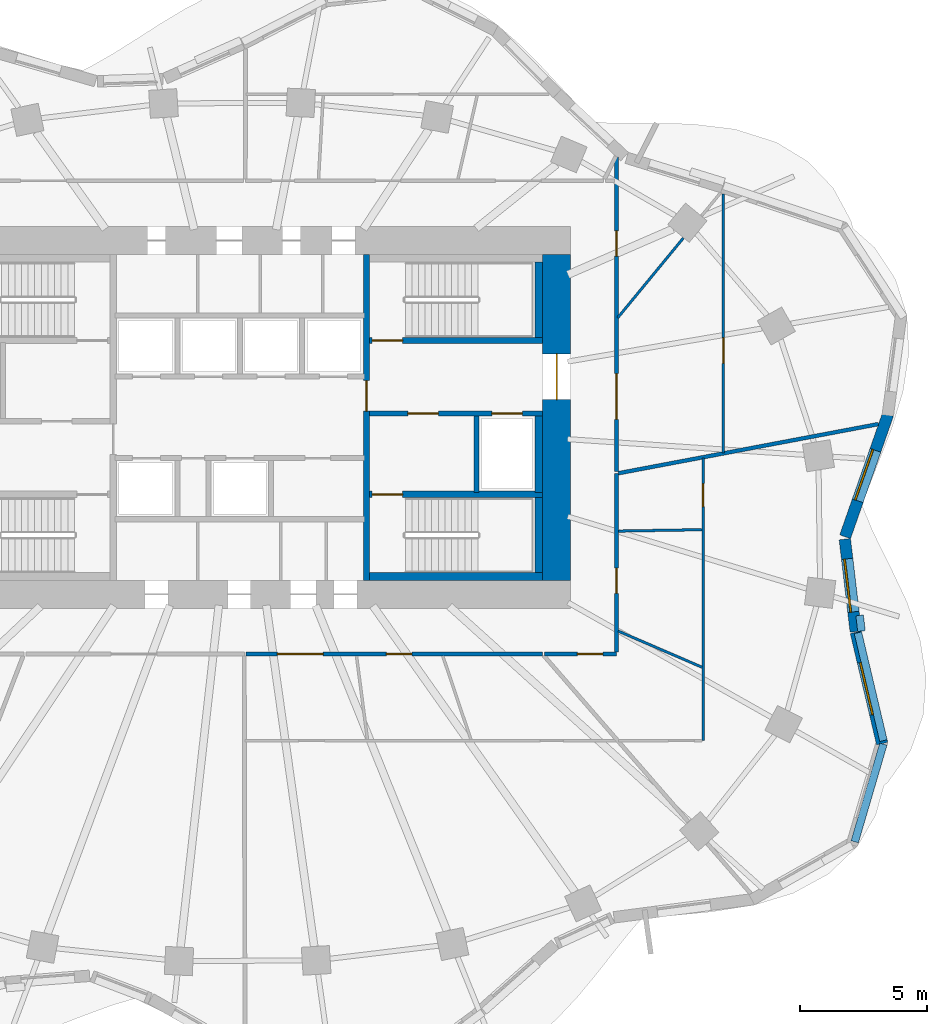
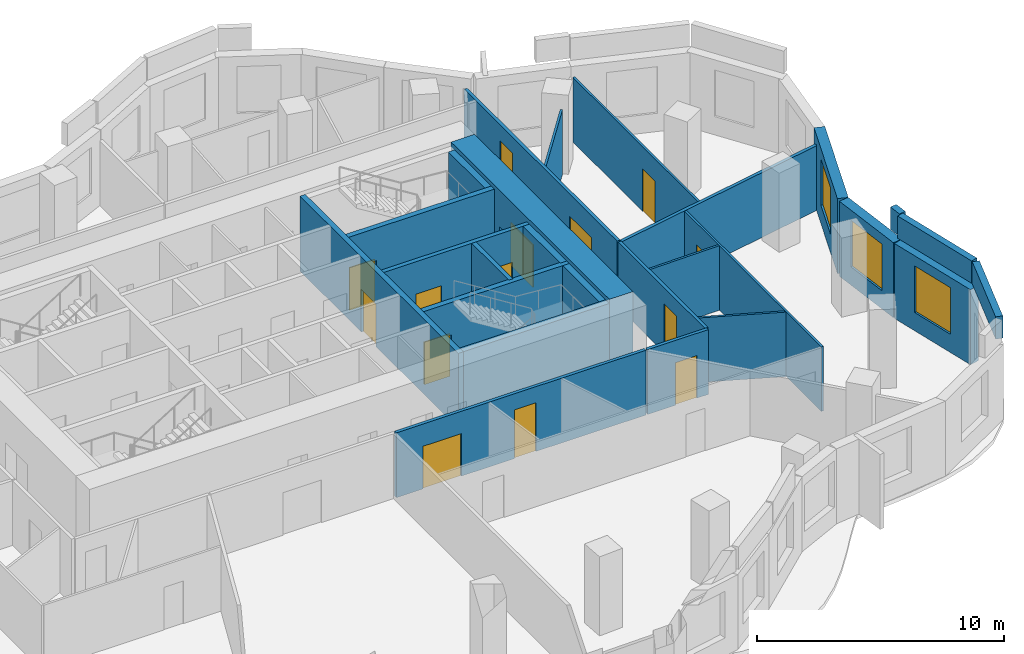
# One storey, part 6 of 10: 26 walls, 14 doors, 3 windows, 17 openings.
"""IFC4 building model written with IfcOpenShell, lengths in metres."""

from ifc_helpers import new_model, si_unit, direction, frame, frame_2d, origin, place, context, subcontext, project, spatial, rectangle, extrude, material, layer, layer_set, type_object, element, fill, save


model = new_model("IFC4")

# Units and contexts
model_context = context("Model", 3, precision=1e-05, world=origin(), true_north=direction((0.0, 1.0)))
body_context = subcontext(model_context, "Body", "Model", "MODEL_VIEW")
ifc_project = project(units=[si_unit("LENGTHUNIT", "METRE"), si_unit("AREAUNIT", "SQUARE_METRE"), si_unit("VOLUMEUNIT", "CUBIC_METRE"), si_unit("PLANEANGLEUNIT", "RADIAN"), si_unit("MASSUNIT", "GRAM", prefix="KILO")], contexts=[model_context])

# Site, building, storey
site_placement = place(None, origin())
site = spatial("IfcSite", under=ifc_project, at=site_placement, CompositionType="ELEMENT")
building_placement = place(site_placement, origin())
building = spatial("IfcBuilding", under=site, at=building_placement, Name="Rubra Terraces Tower", CompositionType="ELEMENT")
storey_placement = place(building_placement, frame((0.0, 0.0, 153.89990234375)))
storey = spatial("IfcBuildingStorey", under=building, at=storey_placement, Name="L37", CompositionType="ELEMENT", Elevation=153.89990234375)

# Wall, opening, window
ifc_material_1 = material(Name="Brick masonry red-brown", Category="masonry")
ifc_layer_1 = layer(ifc_material_1, 0.449951171875)
ifc_layer_set_1 = layer_set([ifc_layer_1], Name="Brick masonry red-brown")
wall_type_1 = type_object("IfcWallType", Name="Brick facade wall 450", PredefinedType="SOLIDWALL", material=ifc_layer_set_1)
wall_1_placement = place(storey_placement, frame((23.782470703125, -0.189208984375, 0.0), z_axis=(0.0, 0.0, 1.0), x_axis=(0.330794307703, 0.943702880144, 0.0)))
wall_1 = element("IfcWall", 1, at=wall_1_placement, inside=storey, type_object=wall_type_1, Name="Facade wall L37 bay 1", PredefinedType="SOLIDWALL", context=body_context, shape_type="SweptSolid", body=[
    extrude(rectangle(XDim=5.095458984375, YDim=0.449951171875, at=frame_2d((2.5478515625, 0.0))), origin(), (0.0, 0.0, 1.0), 3.7001953125),
])
opening_1_placement = place(wall_1_placement, frame((1.497802734375, 0.0, 0.89990234375)))
opening_1 = element("IfcOpeningElement", 2, at=opening_1_placement, cuts=wall_1, Name="Opening W1B", PredefinedType="OPENING", context=body_context, shape_type="SweptSolid", body=[
    extrude(rectangle(XDim=2.10009765625, YDim=2.300048828125, at=frame_2d((1.050048828125, 1.14990234375))), frame((0.0, 0.23486328125, 0.0), z_axis=(0.0, -1.0, 0.0), x_axis=(1.0, 0.0, 0.0)), (0.0, 0.0, 1.0), 0.469970703125),
])
ifc_material_2 = material(Name="Clear glass in aluminium frame", Category="aluminium")
window_type = type_object("IfcWindowType", Name="Fixed deep-set window tall storey 2100 x 2300", PartitioningType="SINGLE_PANEL", PredefinedType="WINDOW", material=ifc_material_2)
window_1_placement = place(opening_1_placement, origin())
window_1 = element("IfcWindow", 3, at=window_1_placement, inside=storey, type_object=window_type, Name="Window L37 bay 1", OverallHeight=2.300048828125, OverallWidth=2.10009765625, PartitioningType="SINGLE_PANEL", PredefinedType="WINDOW", context=body_context, shape_type="SweptSolid", body=[
    extrude(rectangle(XDim=2.10009765625, YDim=2.300048828125, at=frame_2d((1.050048828125, 1.14990234375))), frame((0.0, 0.135009765625, 0.0), z_axis=(0.0, -1.0, 0.0), x_axis=(1.0, 0.0, 0.0)), (0.0, 0.0, 1.0), 0.06005859375),
])
fill(opening_1, window_1)

wall_2_placement = place(storey_placement, frame((25.23974609375, -8.3193359375, 0.0), z_axis=(0.0, 0.0, 1.0), x_axis=(-0.230037604827, 0.973181740666, 0.0)))
wall_2 = element("IfcWall", 4, at=wall_2_placement, inside=storey, type_object=wall_type_1, Name="Facade wall L37 bay 39", PredefinedType="SOLIDWALL", context=body_context, shape_type="SweptSolid", body=[
    extrude(rectangle(XDim=4.497802734375, YDim=0.449951171875, at=frame_2d((2.2490234375, 0.0))), origin(), (0.0, 0.0, 1.0), 3.7001953125),
])
opening_2_placement = place(wall_2_placement, frame((1.198974609375, 0.0, 0.89990234375)))
opening_2 = element("IfcOpeningElement", 5, at=opening_2_placement, cuts=wall_2, Name="Opening W1B", PredefinedType="OPENING", context=body_context, shape_type="SweptSolid", body=[
    extrude(rectangle(XDim=2.10009765625, YDim=2.300048828125, at=frame_2d((1.050048828125, 1.14990234375))), frame((0.0, 0.23486328125, 0.0), z_axis=(0.0, -1.0, 0.0), x_axis=(1.0, 0.0, 0.0)), (0.0, 0.0, 1.0), 0.469970703125),
])
window_2_placement = place(opening_2_placement, origin())
window_2 = element("IfcWindow", 6, at=window_2_placement, inside=storey, type_object=window_type, Name="Window L37 bay 39", OverallHeight=2.300048828125, OverallWidth=2.10009765625, PartitioningType="SINGLE_PANEL", PredefinedType="WINDOW", context=body_context, shape_type="SweptSolid", body=[
    extrude(rectangle(XDim=2.10009765625, YDim=2.300048828125, at=frame_2d((1.050048828125, 1.14990234375))), frame((0.0, 0.135009765625, 0.0), z_axis=(0.0, -1.0, 0.0), x_axis=(1.0, 0.0, 0.0)), (0.0, 0.0, 1.0), 0.06005859375),
])
fill(opening_2, window_2)

wall_3_placement = place(storey_placement, frame((24.200927734375, -3.915283203125, 0.0), z_axis=(0.0, 0.0, 1.0), x_axis=(-0.117623597589, 0.993058250703, 0.0)))
wall_3 = element("IfcWall", 7, at=wall_3_placement, inside=storey, type_object=wall_type_1, Name="Facade wall L37 bay 40", PredefinedType="SOLIDWALL", context=body_context, shape_type="SweptSolid", body=[
    extrude(rectangle(XDim=3.6572265625, YDim=0.449951171875, at=frame_2d((1.82861328125, 0.0))), origin(), (0.0, 0.0, 1.0), 3.7001953125),
])
opening_3_placement = place(wall_3_placement, frame((0.77880859375, 0.0, 0.89990234375)))
opening_3 = element("IfcOpeningElement", 8, at=opening_3_placement, cuts=wall_3, Name="Opening W1B", PredefinedType="OPENING", context=body_context, shape_type="SweptSolid", body=[
    extrude(rectangle(XDim=2.10009765625, YDim=2.300048828125, at=frame_2d((1.050048828125, 1.14990234375))), frame((0.0, 0.23486328125, 0.0), z_axis=(0.0, -1.0, 0.0), x_axis=(1.0, 0.0, 0.0)), (0.0, 0.0, 1.0), 0.469970703125),
])
window_3_placement = place(opening_3_placement, origin())
window_3 = element("IfcWindow", 9, at=window_3_placement, inside=storey, type_object=window_type, Name="Window L37 bay 40", OverallHeight=2.300048828125, OverallWidth=2.10009765625, PartitioningType="SINGLE_PANEL", PredefinedType="WINDOW", context=body_context, shape_type="SweptSolid", body=[
    extrude(rectangle(XDim=2.10009765625, YDim=2.300048828125, at=frame_2d((1.050048828125, 1.14990234375))), frame((0.0, 0.135009765625, 0.0), z_axis=(0.0, -1.0, 0.0), x_axis=(1.0, 0.0, 0.0)), (0.0, 0.0, 1.0), 0.06005859375),
])
fill(opening_3, window_3)

# Walls
ifc_layer_2 = layer(ifc_material_1, 0.300048828125)
ifc_layer_set_2 = layer_set([ifc_layer_2], Name="Brick masonry red-brown")
wall_type_2 = type_object("IfcWallType", Name="Brick parapet 300", PredefinedType="PARAPET", material=ifc_layer_set_2)
wall_4_placement = place(storey_placement, frame((24.15966796875, -12.17431640625, 3.900146484375), z_axis=(0.0, 0.0, 1.0), x_axis=(0.281412876289, 0.959586782453, 0.0)))
element("IfcWall", 10, at=wall_4_placement, inside=storey, type_object=wall_type_2, Name="Parapet L37 bay 38", PredefinedType="PARAPET", context=body_context, shape_type="SweptSolid", body=[
    extrude(rectangle(XDim=4.000244140625, YDim=0.300048828125, at=frame_2d((2.0, 0.0))), origin(), (0.0, 0.0, 1.0), 1.099853515625),
])
wall_5_placement = place(storey_placement, frame((25.288818359375, -8.200927734375, 3.900146484375), z_axis=(0.0, 0.0, 1.0), x_axis=(-0.230060179164, 0.973176404339, 0.0)))
element("IfcWall", 11, at=wall_5_placement, inside=storey, type_object=wall_type_2, Name="Parapet L37 bay 39", PredefinedType="PARAPET", context=body_context, shape_type="SweptSolid", body=[
    extrude(rectangle(XDim=4.3583984375, YDim=0.300048828125, at=frame_2d((2.17919921875, 0.0))), origin(), (0.0, 0.0, 1.0), 1.099853515625),
])
wall_6_placement = place(storey_placement, frame((24.425048828125, -3.895751953125, 3.900146484375), z_axis=(0.0, 0.0, 1.0), x_axis=(-0.117389767496, 0.993085918985, 0.0)))
element("IfcWall", 12, at=wall_6_placement, inside=storey, type_object=wall_type_2, Name="Parapet L37 bay 40", PredefinedType="PARAPET", context=body_context, shape_type="SweptSolid", body=[
    extrude(rectangle(XDim=0.619873046875, YDim=0.300048828125, at=frame_2d((0.31005859375, 0.0))), origin(), (0.0, 0.0, 1.0), 1.099853515625),
])

# Wall, opening, door
ifc_material_3 = material(Name="Concrete C60", Category="concrete")
ifc_layer_3 = layer(ifc_material_3, 1.10009765625)
ifc_layer_set_3 = layer_set([ifc_layer_3], Name="Concrete C60")
wall_type_3 = type_object("IfcWallType", Name="CORE WALL 1100 C60", PredefinedType="SHEAR", material=ifc_layer_set_3)
wall_7_placement = place(storey_placement, frame((12.449951171875, -1.89990234375, 0.0), z_axis=(0.0, 0.0, 1.0), x_axis=(0.0, 1.0, 0.0)))
wall_7 = element("IfcWall", 13, at=wall_7_placement, inside=storey, type_object=wall_type_3, Name="CORE WALL E L37", PredefinedType="SHEAR", context=body_context, shape_type="SweptSolid", body=[
    extrude(rectangle(XDim=12.7998046875, YDim=1.10009765625, at=frame_2d((6.39990234375, 0.0))), origin(), (0.0, 0.0, 1.0), 3.900146484375),
])
opening_4_placement = place(wall_7_placement, frame((7.10009765625, 0.0, 0.0)))
opening_4 = element("IfcOpeningElement", 14, at=opening_4_placement, cuts=wall_7, Name="Opening L37.C02", PredefinedType="OPENING", context=body_context, shape_type="SweptSolid", body=[
    extrude(rectangle(XDim=1.800048828125, YDim=2.10009765625, at=frame_2d((0.89990234375, 1.050048828125))), frame((0.0, 0.56005859375, 0.0), z_axis=(0.0, -1.0, 0.0), x_axis=(1.0, 0.0, 0.0)), (0.0, 0.0, 1.0), 1.1201171875),
])
ifc_material_4 = material(Name="Painted steel", Category="steel")
door_type_1 = type_object("IfcDoorType", Name="Fire door 1800x2100 double", OperationType="NOTDEFINED", PredefinedType="DOOR", material=ifc_material_4)
door_1_placement = place(opening_4_placement, origin())
door_1 = element("IfcDoor", 15, at=door_1_placement, inside=storey, type_object=door_type_1, Name="Core entrance door FF2", OperationType="DOUBLE_DOOR_SINGLE_SWING", OverallHeight=2.10009765625, OverallWidth=1.800048828125, PredefinedType="DOOR", context=body_context, shape_type="SweptSolid", body=[
    extrude(rectangle(XDim=1.800048828125, YDim=2.10009765625, at=frame_2d((0.89990234375, 1.050048828125))), frame((0.0, 0.02490234375, 0.0), z_axis=(0.0, -1.0, 0.0), x_axis=(1.0, 0.0, 0.0)), (0.0, 0.0, 1.0), 0.050048828125),
])
fill(opening_4, door_1)

# Wall, openings, doors
ifc_material_5 = material(Name="Plasterboard on steel stud, mineral wool infill", Category="steel")
ifc_layer_4 = layer(ifc_material_5, 0.14990234375)
ifc_layer_set_4 = layer_set([ifc_layer_4], Name="Plasterboard on steel stud, mineral wool infill")
wall_type_4 = type_object("IfcWallType", Name="CORRIDOR PARTITION 150", PredefinedType="PARTITIONING", material=ifc_layer_set_4)
wall_8_placement = place(storey_placement, frame((0.24853515625, -4.800048828125, 0.0), z_axis=(0.0, 0.0, 1.0), x_axis=(1.0, 0.0, 0.0)))
wall_8 = element("IfcWall", 16, at=wall_8_placement, inside=storey, type_object=wall_type_4, Name="PARTITION", PredefinedType="PARTITIONING", context=body_context, shape_type="SweptSolid", body=[
    extrude(rectangle(XDim=11.64306640625, YDim=0.14990234375, at=frame_2d((5.821533203125, 0.0))), origin(), (0.0, 0.0, 1.0), 3.197998046875),
])
opening_5_placement = place(wall_8_placement, frame((1.22509765625, 0.0, 0.0)))
opening_5 = element("IfcOpeningElement", 17, at=opening_5_placement, cuts=wall_8, Name="Opening 37-113", PredefinedType="OPENING", context=body_context, shape_type="SweptSolid", body=[
    extrude(rectangle(XDim=1.800048828125, YDim=2.10009765625, at=frame_2d((0.89990234375, 1.050048828125))), frame((0.0, 0.0849609375, 0.0), z_axis=(0.0, -1.0, 0.0), x_axis=(1.0, 0.0, 0.0)), (0.0, 0.0, 1.0), 0.169921875),
])
opening_6_placement = place(wall_8_placement, frame((5.512939453125, 0.0, 0.0)))
opening_6 = element("IfcOpeningElement", 18, at=opening_6_placement, cuts=wall_8, Name="Opening 37-115", PredefinedType="OPENING", context=body_context, shape_type="SweptSolid", body=[
    extrude(rectangle(XDim=1.0, YDim=2.39990234375, at=frame_2d((0.5, 1.199951171875))), frame((0.0, 0.0849609375, 0.0), z_axis=(0.0, -1.0, 0.0), x_axis=(1.0, 0.0, 0.0)), (0.0, 0.0, 1.0), 0.169921875),
])
ifc_material_6 = material(Name="Glazed aluminium meeting door leaf", Category="aluminium")
door_type_2 = type_object("IfcDoorType", Name="MEETING ROOM GLAZED DOOR 1000 X 2400", OperationType="SINGLE_SWING_LEFT", PredefinedType="DOOR", material=ifc_material_6)
door_2_placement = place(opening_6_placement, origin())
door_2 = element("IfcDoor", 19, at=door_2_placement, inside=storey, type_object=door_type_2, Name="DOOR 37-115", OperationType="SINGLE_SWING_RIGHT", OverallHeight=2.39990234375, OverallWidth=1.0, PredefinedType="DOOR", context=body_context, shape_type="SweptSolid", body=[
    extrude(rectangle(XDim=1.0, YDim=2.39990234375, at=frame_2d((0.5, 1.199951171875))), frame((0.0, 0.02490234375, 0.0), z_axis=(0.0, -1.0, 0.0), x_axis=(1.0, 0.0, 0.0)), (0.0, 0.0, 1.0), 0.050048828125),
])
fill(opening_6, door_2)
ifc_material_7 = material(Name="Painted timber door leaf, double", Category="wood")
door_type_3 = type_object("IfcDoorType", Name="ROOM DOUBLE DOOR 1800 X 2100", OperationType="DOUBLE_DOOR_SINGLE_SWING", PredefinedType="DOOR", material=ifc_material_7)
door_3_placement = place(opening_5_placement, origin())
door_3 = element("IfcDoor", 20, at=door_3_placement, inside=storey, type_object=door_type_3, Name="DOOR 37-113", OperationType="DOUBLE_DOOR_SINGLE_SWING", OverallHeight=2.10009765625, OverallWidth=1.800048828125, PredefinedType="DOOR", context=body_context, shape_type="SweptSolid", body=[
    extrude(rectangle(XDim=1.800048828125, YDim=2.10009765625, at=frame_2d((0.89990234375, 1.050048828125))), frame((0.0, 0.02490234375, 0.0), z_axis=(0.0, -1.0, 0.0), x_axis=(1.0, 0.0, 0.0)), (0.0, 0.0, 1.0), 0.050048828125),
])
fill(opening_5, door_3)

# Wall, opening, door
wall_9_placement = place(storey_placement, frame((11.966796875, -4.800048828125, 0.0), z_axis=(0.0, 0.0, 1.0), x_axis=(1.0, 0.0, 0.0)))
wall_9 = element("IfcWall", 21, at=wall_9_placement, inside=storey, type_object=wall_type_4, Name="PARTITION", PredefinedType="PARTITIONING", context=body_context, shape_type="SweptSolid", body=[
    extrude(rectangle(XDim=2.833251953125, YDim=0.14990234375, at=frame_2d((1.41650390625, 0.0))), origin(), (0.0, 0.0, 1.0), 3.197998046875),
])
opening_7_placement = place(wall_9_placement, frame((1.300048828125, 0.0, 0.0)))
opening_7 = element("IfcOpeningElement", 22, at=opening_7_placement, cuts=wall_9, Name="Opening 37-117", PredefinedType="OPENING", context=body_context, shape_type="SweptSolid", body=[
    extrude(rectangle(XDim=1.0, YDim=2.10009765625, at=frame_2d((0.5, 1.050048828125))), frame((0.0, 0.0849609375, 0.0), z_axis=(0.0, -1.0, 0.0), x_axis=(1.0, 0.0, 0.0)), (0.0, 0.0, 1.0), 0.169921875),
])
ifc_material_8 = material(Name="Painted timber door leaf", Category="wood")
door_type_4 = type_object("IfcDoorType", Name="ROOM DOOR 1000 X 2100", OperationType="SINGLE_SWING_LEFT", PredefinedType="DOOR", material=ifc_material_8)
door_4_placement = place(opening_7_placement, origin())
door_4 = element("IfcDoor", 23, at=door_4_placement, inside=storey, type_object=door_type_4, Name="DOOR 37-117", OperationType="SINGLE_SWING_RIGHT", OverallHeight=2.10009765625, OverallWidth=1.0, PredefinedType="DOOR", context=body_context, shape_type="SweptSolid", body=[
    extrude(rectangle(XDim=1.0, YDim=2.10009765625, at=frame_2d((0.5, 1.050048828125))), frame((0.0, 0.02490234375, 0.0), z_axis=(0.0, -1.0, 0.0), x_axis=(1.0, 0.0, 0.0)), (0.0, 0.0, 1.0), 0.050048828125),
])
fill(opening_7, door_4)

wall_10_placement = place(storey_placement, frame((14.800048828125, -4.72509765625, 0.0), z_axis=(0.0, 0.0, 1.0), x_axis=(0.0, 1.0, 0.0)))
wall_10 = element("IfcWall", 24, at=wall_10_placement, inside=storey, type_object=wall_type_4, Name="PARTITION", PredefinedType="PARTITIONING", context=body_context, shape_type="SweptSolid", body=[
    extrude(rectangle(XDim=7.017578125, YDim=0.14990234375, at=frame_2d((3.5087890625, 0.0))), origin(), (0.0, 0.0, 1.0), 3.197998046875),
])
opening_8_placement = place(wall_10_placement, frame((2.306884765625, 0.0, 0.0)))
opening_8 = element("IfcOpeningElement", 25, at=opening_8_placement, cuts=wall_10, Name="Opening 37-119", PredefinedType="OPENING", context=body_context, shape_type="SweptSolid", body=[
    extrude(rectangle(XDim=1.0, YDim=2.39990234375, at=frame_2d((0.5, 1.199951171875))), frame((0.0, 0.0849609375, 0.0), z_axis=(0.0, -1.0, 0.0), x_axis=(1.0, 0.0, 0.0)), (0.0, 0.0, 1.0), 0.169921875),
])
door_5_placement = place(opening_8_placement, origin())
door_5 = element("IfcDoor", 26, at=door_5_placement, inside=storey, type_object=door_type_2, Name="DOOR 37-119", OperationType="SINGLE_SWING_RIGHT", OverallHeight=2.39990234375, OverallWidth=1.0, PredefinedType="DOOR", context=body_context, shape_type="SweptSolid", body=[
    extrude(rectangle(XDim=1.0, YDim=2.39990234375, at=frame_2d((0.5, 1.199951171875))), frame((0.0, 0.02490234375, 0.0), z_axis=(0.0, -1.0, 0.0), x_axis=(1.0, 0.0, 0.0)), (0.0, 0.0, 1.0), 0.050048828125),
])
fill(opening_8, door_5)

# Wall, openings, doors
wall_11_placement = place(storey_placement, frame((14.800048828125, 2.36767578125, 0.0), z_axis=(0.0, 0.0, 1.0), x_axis=(0.0, 1.0, 0.0)))
wall_11 = element("IfcWall", 27, at=wall_11_placement, inside=storey, type_object=wall_type_4, Name="PARTITION", PredefinedType="PARTITIONING", context=body_context, shape_type="SweptSolid", body=[
    extrude(rectangle(XDim=12.359130859375, YDim=0.14990234375, at=frame_2d((6.1796875, 0.0))), origin(), (0.0, 0.0, 1.0), 3.197998046875),
])
opening_9_placement = place(wall_11_placement, frame((2.056884765625, 0.0, 0.0)))
opening_9 = element("IfcOpeningElement", 28, at=opening_9_placement, cuts=wall_11, Name="Opening 37-121", PredefinedType="OPENING", context=body_context, shape_type="SweptSolid", body=[
    extrude(rectangle(XDim=1.800048828125, YDim=2.10009765625, at=frame_2d((0.89990234375, 1.050048828125))), frame((0.0, 0.0849609375, 0.0), z_axis=(0.0, -1.0, 0.0), x_axis=(1.0, 0.0, 0.0)), (0.0, 0.0, 1.0), 0.169921875),
])
opening_10_placement = place(wall_11_placement, frame((8.465087890625, 0.0, 0.0)))
opening_10 = element("IfcOpeningElement", 29, at=opening_10_placement, cuts=wall_11, Name="Opening 37-123", PredefinedType="OPENING", context=body_context, shape_type="SweptSolid", body=[
    extrude(rectangle(XDim=1.0, YDim=2.39990234375, at=frame_2d((0.5, 1.199951171875))), frame((0.0, 0.0849609375, 0.0), z_axis=(0.0, -1.0, 0.0), x_axis=(1.0, 0.0, 0.0)), (0.0, 0.0, 1.0), 0.169921875),
])
door_6_placement = place(opening_10_placement, origin())
door_6 = element("IfcDoor", 30, at=door_6_placement, inside=storey, type_object=door_type_2, Name="DOOR 37-123", OperationType="SINGLE_SWING_RIGHT", OverallHeight=2.39990234375, OverallWidth=1.0, PredefinedType="DOOR", context=body_context, shape_type="SweptSolid", body=[
    extrude(rectangle(XDim=1.0, YDim=2.39990234375, at=frame_2d((0.5, 1.199951171875))), frame((0.0, 0.02490234375, 0.0), z_axis=(0.0, -1.0, 0.0), x_axis=(1.0, 0.0, 0.0)), (0.0, 0.0, 1.0), 0.050048828125),
])
fill(opening_10, door_6)
door_7_placement = place(opening_9_placement, origin())
door_7 = element("IfcDoor", 31, at=door_7_placement, inside=storey, type_object=door_type_3, Name="DOOR 37-121", OperationType="DOUBLE_DOOR_SINGLE_SWING", OverallHeight=2.10009765625, OverallWidth=1.800048828125, PredefinedType="DOOR", context=body_context, shape_type="SweptSolid", body=[
    extrude(rectangle(XDim=1.800048828125, YDim=2.10009765625, at=frame_2d((0.89990234375, 1.050048828125))), frame((0.0, 0.02490234375, 0.0), z_axis=(0.0, -1.0, 0.0), x_axis=(1.0, 0.0, 0.0)), (0.0, 0.0, 1.0), 0.050048828125),
])
fill(opening_9, door_7)

# Walls
ifc_material_9 = material(Name="Concrete C40", Category="concrete")
ifc_layer_5 = layer(ifc_material_9, 0.300048828125)
ifc_layer_set_5 = layer_set([ifc_layer_5], Name="Concrete C40")
wall_type_5 = type_object("IfcWallType", Name="Core lining wall 300 concrete", PredefinedType="SOLIDWALL", material=ifc_layer_set_5)
wall_12_placement = place(storey_placement, frame((11.75, 10.60009765625, 0.0), z_axis=(0.0, 0.0, 1.0), x_axis=(0.0, -1.0, 0.0)))
element("IfcWall", 32, at=wall_12_placement, inside=storey, type_object=wall_type_5, Name="CORE LINING WALL L37", PredefinedType="SOLIDWALL", context=body_context, shape_type="SweptSolid", body=[
    extrude(rectangle(XDim=2.9501953125, YDim=0.300048828125, at=frame_2d((1.47509765625, 0.0))), origin(), (0.0, 0.0, 1.0), 3.7001953125),
])
wall_13_placement = place(storey_placement, frame((11.75, 4.550048828125, 0.0), z_axis=(0.0, 0.0, 1.0), x_axis=(0.0, -1.0, 0.0)))
element("IfcWall", 33, at=wall_13_placement, inside=storey, type_object=wall_type_5, Name="CORE LINING WALL L37", PredefinedType="SOLIDWALL", context=body_context, shape_type="SweptSolid", body=[
    extrude(rectangle(XDim=3.0, YDim=0.300048828125, at=frame_2d((1.5, 0.0))), origin(), (0.0, 0.0, 1.0), 3.7001953125),
])
wall_14_placement = place(storey_placement, frame((11.75, 1.35009765625, 0.0), z_axis=(0.0, 0.0, 1.0), x_axis=(0.0, -1.0, 0.0)))
element("IfcWall", 34, at=wall_14_placement, inside=storey, type_object=wall_type_5, Name="CORE LINING WALL L37", PredefinedType="SOLIDWALL", context=body_context, shape_type="SweptSolid", body=[
    extrude(rectangle(XDim=2.9501953125, YDim=0.300048828125, at=frame_2d((1.47509765625, 0.0))), origin(), (0.0, 0.0, 1.0), 3.7001953125),
])
wall_15_placement = place(storey_placement, frame((11.89990234375, -1.75, 0.0), z_axis=(0.0, 0.0, 1.0), x_axis=(-1.0, 0.0, 0.0)))
element("IfcWall", 35, at=wall_15_placement, inside=storey, type_object=wall_type_5, Name="CORE LINING WALL L37", PredefinedType="SOLIDWALL", context=body_context, shape_type="SweptSolid", body=[
    extrude(rectangle(XDim=6.7998046875, YDim=0.300048828125, at=frame_2d((3.39990234375, 0.0))), origin(), (0.0, 0.0, 1.0), 3.7001953125),
])

# Wall, openings, doors
ifc_material_10 = material(Name="Concrete C30", Category="concrete")
ifc_layer_6 = layer(ifc_material_10, 0.199951171875)
ifc_layer_set_6 = layer_set([ifc_layer_6], Name="Concrete C30")
wall_type_6 = type_object("IfcWallType", Name="Core wall 200 concrete", PredefinedType="SOLIDWALL", material=ifc_layer_set_6)
wall_16_placement = place(storey_placement, frame((11.89990234375, 4.64990234375, 0.0), z_axis=(0.0, 0.0, 1.0), x_axis=(-1.0, 0.0, 0.0)))
wall_16 = element("IfcWall", 36, at=wall_16_placement, inside=storey, type_object=wall_type_6, Name="STAIR WALL L37", PredefinedType="SOLIDWALL", context=body_context, shape_type="SweptSolid", body=[
    extrude(rectangle(XDim=6.7998046875, YDim=0.199951171875, at=frame_2d((3.39990234375, 0.0))), origin(), (0.0, 0.0, 1.0), 3.7001953125),
])
opening_11_placement = place(wall_16_placement, frame((4.10009765625, 0.0, 0.0)))
opening_11 = element("IfcOpeningElement", 37, at=opening_11_placement, cuts=wall_16, Name="Opening L37.C06", PredefinedType="OPENING", context=body_context, shape_type="SweptSolid", body=[
    extrude(rectangle(XDim=1.199951171875, YDim=2.10009765625, at=frame_2d((0.60009765625, 1.050048828125))), frame((0.0, 0.10986328125, 0.0), z_axis=(0.0, -1.0, 0.0), x_axis=(1.0, 0.0, 0.0)), (0.0, 0.0, 1.0), 0.219970703125),
])
opening_12_placement = place(wall_16_placement, frame((0.800048828125, 0.0, 0.0)))
opening_12 = element("IfcOpeningElement", 38, at=opening_12_placement, cuts=wall_16, Name="Opening L37.C12", PredefinedType="OPENING", context=body_context, shape_type="SweptSolid", body=[
    extrude(rectangle(XDim=1.199951171875, YDim=2.10009765625, at=frame_2d((0.60009765625, 1.050048828125))), frame((0.0, 0.10986328125, 0.0), z_axis=(0.0, -1.0, 0.0), x_axis=(1.0, 0.0, 0.0)), (0.0, 0.0, 1.0), 0.219970703125),
])
door_type_5 = type_object("IfcDoorType", Name="Fire door 1200x2100 single", OperationType="NOTDEFINED", PredefinedType="DOOR", material=ifc_material_4)
door_8_placement = place(opening_11_placement, origin())
door_8 = element("IfcDoor", 39, at=door_8_placement, inside=storey, type_object=door_type_5, Name="Stair vestibule door S4", OperationType="SINGLE_SWING_RIGHT", OverallHeight=2.10009765625, OverallWidth=1.199951171875, PredefinedType="DOOR", context=body_context, shape_type="SweptSolid", body=[
    extrude(rectangle(XDim=1.199951171875, YDim=2.10009765625, at=frame_2d((0.60009765625, 1.050048828125))), frame((0.0, 0.02490234375, 0.0), z_axis=(0.0, -1.0, 0.0), x_axis=(1.0, 0.0, 0.0)), (0.0, 0.0, 1.0), 0.050048828125),
])
fill(opening_11, door_8)
ifc_material_11 = material(Name="Stainless steel", Category="steel")
door_type_6 = type_object("IfcDoorType", Name="Lift landing door 1200x2100", OperationType="NOTDEFINED", PredefinedType="DOOR", material=ifc_material_11)
door_9_placement = place(opening_12_placement, origin())
door_9 = element("IfcDoor", 40, at=door_9_placement, inside=storey, type_object=door_type_6, Name="Landing door FF2", OperationType="SLIDING_TO_RIGHT", OverallHeight=2.10009765625, OverallWidth=1.199951171875, PredefinedType="DOOR", context=body_context, shape_type="SweptSolid", body=[
    extrude(rectangle(XDim=1.199951171875, YDim=2.10009765625, at=frame_2d((0.60009765625, 1.050048828125))), frame((0.0, 0.02490234375, 0.0), z_axis=(0.0, -1.0, 0.0), x_axis=(1.0, 0.0, 0.0)), (0.0, 0.0, 1.0), 0.050048828125),
])
fill(opening_12, door_9)

# Wall
wall_17_placement = place(storey_placement, frame((9.300048828125, 4.550048828125, 0.0), z_axis=(0.0, 0.0, 1.0), x_axis=(0.0, -1.0, 0.0)))
element("IfcWall", 41, at=wall_17_placement, inside=storey, type_object=wall_type_6, Name="STAIR WALL L37", PredefinedType="SOLIDWALL", context=body_context, shape_type="SweptSolid", body=[
    extrude(rectangle(XDim=3.0, YDim=0.199951171875, at=frame_2d((1.5, 0.0))), origin(), (0.0, 0.0, 1.0), 3.7001953125),
])

# Wall, opening, door
ifc_material_12 = material(Name="Plasterboard on steel stud", Category="steel")
ifc_layer_7 = layer(ifc_material_12, 0.10009765625)
ifc_layer_set_7 = layer_set([ifc_layer_7], Name="Plasterboard on steel stud")
wall_type_7 = type_object("IfcWallType", Name="ROOM PARTITION 100", PredefinedType="PARTITIONING", material=ifc_layer_set_7)
wall_18_placement = place(storey_placement, frame((18.199951171875, 2.9150390625, 0.0), z_axis=(0.0, 0.0, 1.0), x_axis=(0.0, -1.0, 0.0)))
wall_18 = element("IfcWall", 42, at=wall_18_placement, inside=storey, type_object=wall_type_7, Name="PARTITION", PredefinedType="PARTITIONING", context=body_context, shape_type="SweptSolid", body=[
    extrude(rectangle(XDim=11.114990234375, YDim=0.10009765625, at=frame_2d((5.5576171875, 0.0))), origin(), (0.0, 0.0, 1.0), 3.18408203125),
])
opening_13_placement = place(wall_18_placement, frame((1.01708984375, 0.0, 0.0)))
opening_13 = element("IfcOpeningElement", 43, at=opening_13_placement, cuts=wall_18, Name="Opening 37-120", PredefinedType="OPENING", context=body_context, shape_type="SweptSolid", body=[
    extrude(rectangle(XDim=0.89990234375, YDim=2.10009765625, at=frame_2d((0.449951171875, 1.050048828125))), frame((0.0, 0.06005859375, 0.0), z_axis=(0.0, -1.0, 0.0), x_axis=(1.0, 0.0, 0.0)), (0.0, 0.0, 1.0), 0.1201171875),
])
door_type_7 = type_object("IfcDoorType", Name="ROOM DOOR 900 X 2100", OperationType="SINGLE_SWING_LEFT", PredefinedType="DOOR", material=ifc_material_8)
door_10_placement = place(opening_13_placement, origin())
door_10 = element("IfcDoor", 44, at=door_10_placement, inside=storey, type_object=door_type_7, Name="DOOR 37-120", OperationType="SINGLE_SWING_LEFT", OverallHeight=2.10009765625, OverallWidth=0.89990234375, PredefinedType="DOOR", context=body_context, shape_type="SweptSolid", body=[
    extrude(rectangle(XDim=0.89990234375, YDim=2.10009765625, at=frame_2d((0.449951171875, 1.050048828125))), frame((0.0, 0.02490234375, 0.0), z_axis=(0.0, -1.0, 0.0), x_axis=(1.0, 0.0, 0.0)), (0.0, 0.0, 1.0), 0.050048828125),
])
fill(opening_13, door_10)

# Walls
wall_19_placement = place(storey_placement, frame((14.868896484375, -3.897216796875, 0.0), z_axis=(0.0, 0.0, 1.0), x_axis=(0.918373696942, -0.395714231188, 0.0)))
element("IfcWall", 45, at=wall_19_placement, inside=storey, type_object=wall_type_7, Name="PARTITION", PredefinedType="PARTITIONING", context=body_context, shape_type="SweptSolid", body=[
    extrude(rectangle(XDim=3.5771484375, YDim=0.10009765625, at=frame_2d((1.78857421875, 0.0))), origin(), (0.0, 0.0, 1.0), 3.18408203125),
])
wall_20_placement = place(storey_placement, frame((14.875, 0.033203125, 0.0), z_axis=(0.0, 0.0, 1.0), x_axis=(0.999856843244, 0.016920195573, 0.0)))
element("IfcWall", 46, at=wall_20_placement, inside=storey, type_object=wall_type_7, Name="PARTITION", PredefinedType="PARTITIONING", context=body_context, shape_type="SweptSolid", body=[
    extrude(rectangle(XDim=3.275390625, YDim=0.10009765625, at=frame_2d((1.6376953125, 0.0))), origin(), (0.0, 0.0, 1.0), 3.18408203125),
])

# Wall, opening, door
wall_21_placement = place(storey_placement, frame((19.0, 13.27001953125, 0.0), z_axis=(0.0, 0.0, 1.0), x_axis=(0.0, -1.0, 0.0)))
wall_21 = element("IfcWall", 47, at=wall_21_placement, inside=storey, type_object=wall_type_7, Name="PARTITION", PredefinedType="PARTITIONING", context=body_context, shape_type="SweptSolid", body=[
    extrude(rectangle(XDim=10.1630859375, YDim=0.10009765625, at=frame_2d((5.08154296875, 0.0))), origin(), (0.0, 0.0, 1.0), 3.18408203125),
])
opening_14_placement = place(wall_21_placement, frame((5.64794921875, 0.0, 0.0)))
opening_14 = element("IfcOpeningElement", 48, at=opening_14_placement, cuts=wall_21, Name="Opening 37-122", PredefinedType="OPENING", context=body_context, shape_type="SweptSolid", body=[
    extrude(rectangle(XDim=1.0, YDim=2.10009765625, at=frame_2d((0.5, 1.050048828125))), frame((0.0, 0.06005859375, 0.0), z_axis=(0.0, -1.0, 0.0), x_axis=(1.0, 0.0, 0.0)), (0.0, 0.0, 1.0), 0.1201171875),
])
door_11_placement = place(opening_14_placement, origin())
door_11 = element("IfcDoor", 49, at=door_11_placement, inside=storey, type_object=door_type_4, Name="DOOR 37-122", OperationType="SINGLE_SWING_LEFT", OverallHeight=2.10009765625, OverallWidth=1.0, PredefinedType="DOOR", context=body_context, shape_type="SweptSolid", body=[
    extrude(rectangle(XDim=1.0, YDim=2.10009765625, at=frame_2d((0.5, 1.050048828125))), frame((0.0, 0.02490234375, 0.0), z_axis=(0.0, -1.0, 0.0), x_axis=(1.0, 0.0, 0.0)), (0.0, 0.0, 1.0), 0.050048828125),
])
fill(opening_14, door_11)

# Walls
wall_22_placement = place(storey_placement, frame((14.84765625, 8.415283203125, 0.0), z_axis=(0.0, 0.0, 1.0), x_axis=(0.63542004032, 0.77216667395, 0.0)))
element("IfcWall", 50, at=wall_22_placement, inside=storey, type_object=wall_type_7, Name="PARTITION", PredefinedType="PARTITIONING", context=body_context, shape_type="SweptSolid", body=[
    extrude(rectangle(XDim=4.052734375, YDim=0.10009765625, at=frame_2d((2.0263671875, 0.0))), origin(), (0.0, 0.0, 1.0), 3.18408203125),
])
ifc_layer_8 = layer(ifc_material_12, 0.14990234375)
ifc_layer_set_8 = layer_set([ifc_layer_8], Name="Plasterboard on steel stud")
wall_type_8 = type_object("IfcWallType", Name="ROOM PARTITION 150", PredefinedType="PARTITIONING", material=ifc_layer_set_8)
wall_23_placement = place(storey_placement, frame((25.091552734375, 4.238037109375, 0.0), z_axis=(0.0, 0.0, 1.0), x_axis=(-0.98259573428, -0.185756892135, 0.0)))
element("IfcWall", 51, at=wall_23_placement, inside=storey, type_object=wall_type_8, Name="PARTITION", PredefinedType="PARTITIONING", context=body_context, shape_type="SweptSolid", body=[
    extrude(rectangle(XDim=10.398681640625, YDim=0.14990234375, at=frame_2d((5.19921875, 0.0))), origin(), (0.0, 0.0, 1.0), 3.197998046875),
])

# Wall, opening, door
ifc_layer_9 = layer(ifc_material_9, 0.25)
ifc_layer_set_9 = layer_set([ifc_layer_9], Name="Concrete C40")
wall_type_9 = type_object("IfcWallType", Name="Stair enclosure wall 250 concrete", PredefinedType="SOLIDWALL", material=ifc_layer_set_9)
wall_24_placement = place(storey_placement, frame((11.89990234375, 7.52490234375, 0.0), z_axis=(0.0, 0.0, 1.0), x_axis=(-1.0, 0.0, 0.0)))
wall_24 = element("IfcWall", 52, at=wall_24_placement, inside=storey, type_object=wall_type_9, Name="STAIR WALL L37", PredefinedType="SOLIDWALL", context=body_context, shape_type="SweptSolid", body=[
    extrude(rectangle(XDim=6.7998046875, YDim=0.25, at=frame_2d((3.39990234375, 0.0))), origin(), (0.0, 0.0, 1.0), 3.7001953125),
])
opening_15_placement = place(wall_24_placement, frame((5.5, 0.0, 0.0)))
opening_15 = element("IfcOpeningElement", 53, at=opening_15_placement, cuts=wall_24, Name="Opening L37.C08", PredefinedType="OPENING", context=body_context, shape_type="SweptSolid", body=[
    extrude(rectangle(XDim=1.199951171875, YDim=2.10009765625, at=frame_2d((0.60009765625, 1.050048828125))), frame((0.0, 0.135009765625, 0.0), z_axis=(0.0, -1.0, 0.0), x_axis=(1.0, 0.0, 0.0)), (0.0, 0.0, 1.0), 0.27001953125),
])
door_12_placement = place(opening_15_placement, origin())
door_12 = element("IfcDoor", 54, at=door_12_placement, inside=storey, type_object=door_type_5, Name="Stair door S3", OperationType="SINGLE_SWING_RIGHT", OverallHeight=2.10009765625, OverallWidth=1.199951171875, PredefinedType="DOOR", context=body_context, shape_type="SweptSolid", body=[
    extrude(rectangle(XDim=1.199951171875, YDim=2.10009765625, at=frame_2d((0.60009765625, 1.050048828125))), frame((0.0, 0.02490234375, 0.0), z_axis=(0.0, -1.0, 0.0), x_axis=(1.0, 0.0, 0.0)), (0.0, 0.0, 1.0), 0.050048828125),
])
fill(opening_15, door_12)

wall_25_placement = place(storey_placement, frame((11.89990234375, 1.47509765625, 0.0), z_axis=(0.0, 0.0, 1.0), x_axis=(-1.0, 0.0, 0.0)))
wall_25 = element("IfcWall", 55, at=wall_25_placement, inside=storey, type_object=wall_type_9, Name="STAIR WALL L37", PredefinedType="SOLIDWALL", context=body_context, shape_type="SweptSolid", body=[
    extrude(rectangle(XDim=6.7998046875, YDim=0.25, at=frame_2d((3.39990234375, 0.0))), origin(), (0.0, 0.0, 1.0), 3.7001953125),
])
opening_16_placement = place(wall_25_placement, frame((5.5, 0.0, 0.0)))
opening_16 = element("IfcOpeningElement", 56, at=opening_16_placement, cuts=wall_25, Name="Opening L37.C10", PredefinedType="OPENING", context=body_context, shape_type="SweptSolid", body=[
    extrude(rectangle(XDim=1.199951171875, YDim=2.10009765625, at=frame_2d((0.60009765625, 1.050048828125))), frame((0.0, 0.135009765625, 0.0), z_axis=(0.0, -1.0, 0.0), x_axis=(1.0, 0.0, 0.0)), (0.0, 0.0, 1.0), 0.27001953125),
])
door_13_placement = place(opening_16_placement, origin())
door_13 = element("IfcDoor", 57, at=door_13_placement, inside=storey, type_object=door_type_5, Name="Stair door S4", OperationType="SINGLE_SWING_RIGHT", OverallHeight=2.10009765625, OverallWidth=1.199951171875, PredefinedType="DOOR", context=body_context, shape_type="SweptSolid", body=[
    extrude(rectangle(XDim=1.199951171875, YDim=2.10009765625, at=frame_2d((0.60009765625, 1.050048828125))), frame((0.0, 0.02490234375, 0.0), z_axis=(0.0, -1.0, 0.0), x_axis=(1.0, 0.0, 0.0)), (0.0, 0.0, 1.0), 0.050048828125),
])
fill(opening_16, door_13)

wall_26_placement = place(storey_placement, frame((4.97509765625, 10.89990234375, 0.0), z_axis=(0.0, 0.0, 1.0), x_axis=(0.0, -1.0, 0.0)))
wall_26 = element("IfcWall", 58, at=wall_26_placement, inside=storey, type_object=wall_type_9, Name="CORE LOBBY WALL L37", PredefinedType="SOLIDWALL", context=body_context, shape_type="SweptSolid", body=[
    extrude(rectangle(XDim=12.7998046875, YDim=0.25, at=frame_2d((6.39990234375, 0.0))), origin(), (0.0, 0.0, 1.0), 3.7001953125),
])
opening_17_placement = place(wall_26_placement, frame((4.949951171875, 0.0, 0.0)))
opening_17 = element("IfcOpeningElement", 59, at=opening_17_placement, cuts=wall_26, Name="Opening L37.C04", PredefinedType="OPENING", context=body_context, shape_type="SweptSolid", body=[
    extrude(rectangle(XDim=1.199951171875, YDim=2.10009765625, at=frame_2d((0.60009765625, 1.050048828125))), frame((0.0, 0.135009765625, 0.0), z_axis=(0.0, -1.0, 0.0), x_axis=(1.0, 0.0, 0.0)), (0.0, 0.0, 1.0), 0.27001953125),
])
door_14_placement = place(opening_17_placement, origin())
door_14 = element("IfcDoor", 60, at=door_14_placement, inside=storey, type_object=door_type_5, Name="Firefighting lobby door FF2", OperationType="SINGLE_SWING_RIGHT", OverallHeight=2.10009765625, OverallWidth=1.199951171875, PredefinedType="DOOR", context=body_context, shape_type="SweptSolid", body=[
    extrude(rectangle(XDim=1.199951171875, YDim=2.10009765625, at=frame_2d((0.60009765625, 1.050048828125))), frame((0.0, 0.02490234375, 0.0), z_axis=(0.0, -1.0, 0.0), x_axis=(1.0, 0.0, 0.0)), (0.0, 0.0, 1.0), 0.050048828125),
])
fill(opening_17, door_14)

save(model, "model.ifc")
